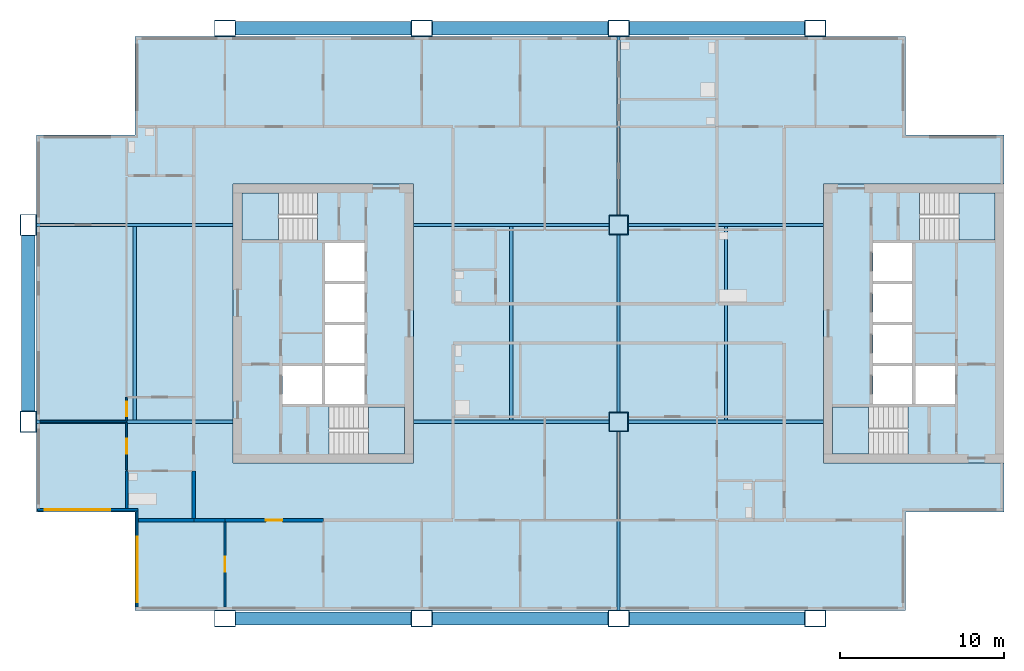
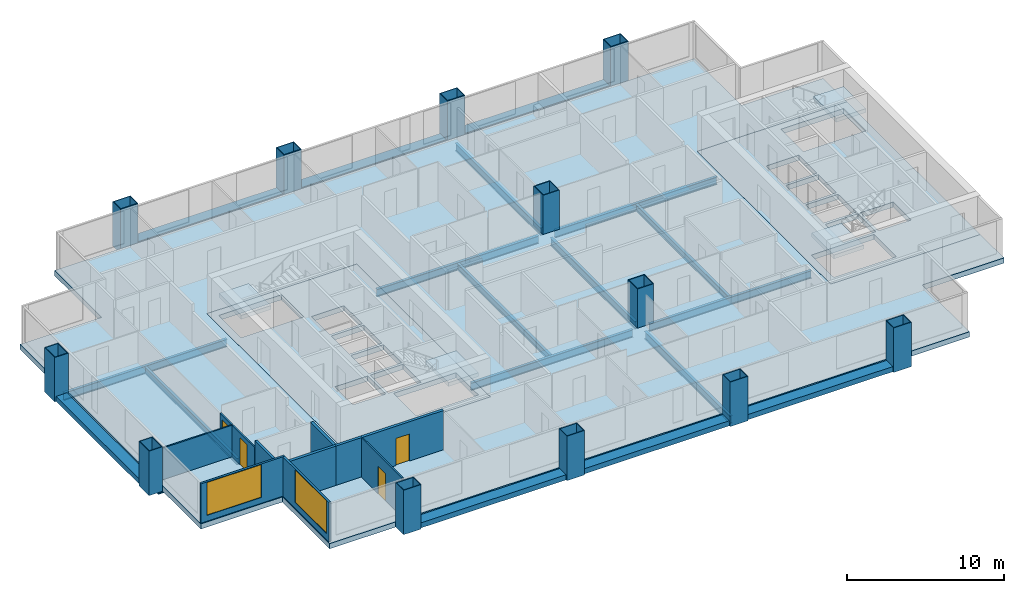
# One storey, part 1 of 9: 19 beams, 12 columns, 11 walls, 7 slabs, 4 doors, 2 windows, 6 openings, 4 elements without a shape of their own.
"""IFC4 building model written with IfcOpenShell, lengths in metres."""

from ifc_helpers import new_model, si_unit, direction, frame, frame_2d, origin, origin_2d, place, context, subcontext, project, spatial, polyline, rectangle, hollow_rectangle, i_section, outline, extrude, material, layer, layer_set, material_profile, profile_set, type_object, element, fill, aggregate, save


model = new_model("IFC4")

# Units and contexts
model_context = context("Model", 3, precision=1e-05, world=origin(), true_north=direction((0.0, 1.0)))
body_context = subcontext(model_context, "Body", "Model", "MODEL_VIEW")
ifc_project = project(units=[si_unit("LENGTHUNIT", "METRE"), si_unit("AREAUNIT", "SQUARE_METRE"), si_unit("VOLUMEUNIT", "CUBIC_METRE"), si_unit("PLANEANGLEUNIT", "RADIAN"), si_unit("MASSUNIT", "GRAM", prefix="KILO")], contexts=[model_context])

# Site, building, storey
site_placement = place(None, origin())
site = spatial("IfcSite", under=ifc_project, at=site_placement, CompositionType="ELEMENT")
building_placement = place(site_placement, origin())
building = spatial("IfcBuilding", under=site, at=building_placement, Name="Kitamizu Gate Tower and Museum", CompositionType="ELEMENT")
storey_placement = place(building_placement, frame((0.0, 0.0, 182.39990234375)))
storey = spatial("IfcBuildingStorey", under=building, at=storey_placement, Name="L48", CompositionType="ELEMENT", Elevation=182.39990234375)

# Columns
ifc_material_1 = material(Name="Steel SM490A bronze coated", Category="steel")
ifc_material_profile_1 = material_profile(ifc_material_1, hollow_rectangle(XDim=1.300048828125, YDim=1.0, WallThickness=0.050048828125, at=origin_2d()), Name="BOX 1300x1000x50")
ifc_profile_set_1 = profile_set([ifc_material_profile_1], Name="Steel SM490A bronze coated")
column_type_1 = type_object("IfcColumnType", Name="Exoskeleton column XC6 BOX 1300x1000x50", PredefinedType="COLUMN", material=ifc_profile_set_1)
for number, where, z_axis, x_axis, name in (
    (1, (0.0, 24.0, -0.39990234375), (0.0, 0.0, 1.0), (0.0, 1.0, 0.0), "Column XC6 1C L48"),
    (2, (0.0, 36.0, -0.39990234375), (0.0, 0.0, 1.0), (0.0, 1.0, 0.0), "Column XC6 1D L48"),
    (3, (12.0, 12.0, -0.39990234375), (0.0, 0.0, 1.0), (1.0, 0.0, 0.0), "Column XC6 2B L48"),
    (4, (12.0, 48.0, -0.39990234375), (0.0, 0.0, 1.0), (1.0, 0.0, 0.0), "Column XC6 2E L48"),
    (5, (24.0, 12.0, -0.39990234375), (0.0, 0.0, 1.0), (1.0, 0.0, 0.0), "Column XC6 3B L48"),
    (6, (24.0, 48.0, -0.39990234375), (0.0, 0.0, 1.0), (1.0, 0.0, 0.0), "Column XC6 3E L48"),
    (7, (36.0, 12.0, -0.39990234375), (0.0, 0.0, 1.0), (1.0, 0.0, 0.0), "Column XC6 4B L48"),
    (8, (36.0, 48.0, -0.39990234375), (0.0, 0.0, 1.0), (1.0, 0.0, 0.0), "Column XC6 4E L48"),
    (9, (48.0, 12.0, -0.39990234375), (0.0, 0.0, 1.0), (1.0, 0.0, 0.0), "Column XC6 5B L48"),
    (10, (48.0, 48.0, -0.39990234375), (0.0, 0.0, 1.0), (1.0, 0.0, 0.0), "Column XC6 5E L48"),
):
    element("IfcColumn", number, at=place(storey_placement, frame(where, z_axis=z_axis, x_axis=x_axis)), inside=storey, type_object=column_type_1, Name=name, PredefinedType="COLUMN", context=body_context, shape_type="SweptSolid", body=[
        extrude(hollow_rectangle(XDim=1.300048828125, YDim=1.0, WallThickness=0.050048828125, at=origin_2d()), origin(), (0.0, 0.0, 1.0), 3.449951171875),
    ])
ifc_material_2 = material(Name="Steel SM490A", Category="steel")
ifc_material_profile_2 = material_profile(ifc_material_2, hollow_rectangle(XDim=1.199951171875, YDim=1.199951171875, WallThickness=0.050048828125, at=origin_2d()), Name="BOX 1200x1200x50")
ifc_profile_set_2 = profile_set([ifc_material_profile_2], Name="Steel SM490A")
column_type_2 = type_object("IfcColumnType", Name="Interior column IC4 BOX 1200x1200x50", PredefinedType="COLUMN", material=ifc_profile_set_2)
for number, where, z_axis, x_axis, name in (
    (11, (36.0, 24.0, 0.0), (0.0, 0.0, 1.0), (1.0, 0.0, 0.0), "Column IC4 4C L48"),
    (12, (36.0, 36.0, 0.0), (0.0, 0.0, 1.0), (1.0, 0.0, 0.0), "Column IC4 4D L48"),
):
    element("IfcColumn", number, at=place(storey_placement, frame(where, z_axis=z_axis, x_axis=x_axis)), inside=storey, type_object=column_type_2, Name=name, PredefinedType="COLUMN", context=body_context, shape_type="SweptSolid", body=[
        extrude(hollow_rectangle(XDim=1.199951171875, YDim=1.199951171875, WallThickness=0.050048828125, at=origin_2d()), origin(), (0.0, 0.0, 1.0), 3.050048828125),
    ])

# Beams
ifc_material_3 = material(Name="Steel SM490A bronze coated", Category="steel")
ifc_material_profile_3 = material_profile(ifc_material_3, hollow_rectangle(XDim=0.800048828125, YDim=0.39990234375, WallThickness=0.0400390625, at=origin_2d()), Name="BOX 800x400x40")
ifc_profile_set_3 = profile_set([ifc_material_profile_3], Name="Steel SM490A bronze coated")
beam_type_1 = type_object("IfcBeamType", Name="Exoskeleton spandrel beam SB1 BOX 800x400x40", PredefinedType="SPANDREL", material=ifc_profile_set_3)
for number, where, z_axis, x_axis, name in (
    (13, (12.64990234375, 12.0, -0.199951171875), (1.0, 0.0, 0.0), (0.0, 1.0, 0.0), "Exoskeleton spandrel beam south 12 L48"),
    (14, (24.64990234375, 12.0, -0.199951171875), (1.0, 0.0, 0.0), (0.0, 1.0, 0.0), "Exoskeleton spandrel beam south 24 L48"),
    (15, (36.64990234375, 12.0, -0.199951171875), (1.0, 0.0, 0.0), (0.0, 1.0, 0.0), "Exoskeleton spandrel beam south 36 L48"),
    (16, (12.64990234375, 48.0, -0.199951171875), (1.0, 0.0, 0.0), (0.0, 1.0, 0.0), "Exoskeleton spandrel beam north 12 L48"),
    (17, (24.64990234375, 48.0, -0.199951171875), (1.0, 0.0, 0.0), (0.0, 1.0, 0.0), "Exoskeleton spandrel beam north 24 L48"),
    (18, (36.64990234375, 48.0, -0.199951171875), (1.0, 0.0, 0.0), (0.0, 1.0, 0.0), "Exoskeleton spandrel beam north 36 L48"),
    (19, (0.0, 24.64990234375, -0.199951171875), (0.0, 1.0, 0.0), (-1.0, 0.0, 0.0), "Exoskeleton spandrel beam west 24 L48"),
):
    element("IfcBeam", number, at=place(storey_placement, frame(where, z_axis=z_axis, x_axis=x_axis)), inside=storey, type_object=beam_type_1, Name=name, PredefinedType="SPANDREL", context=body_context, shape_type="SweptSolid", body=[
        extrude(hollow_rectangle(XDim=0.800048828125, YDim=0.39990234375, WallThickness=0.0400390625, at=origin_2d()), origin(), (0.0, 0.0, 1.0), 10.7001953125),
    ])
ifc_material_4 = material(Name="Steel SM490A", Category="steel")
ifc_material_profile_4 = material_profile(ifc_material_4, i_section(OverallWidth=0.199951171875, OverallDepth=0.5, WebThickness=0.010009765625, FlangeThickness=0.01611328125, FilletRadius=0.02001953125, at=origin_2d()), Name="H-500x200x10x16")
ifc_profile_set_4 = profile_set([ifc_material_profile_4], Name="Steel SM490A")
beam_type_2 = type_object("IfcBeamType", Name="Floor beam FB1 H 500x200x10x16", PredefinedType="BEAM", material=ifc_profile_set_4)
for number, where, z_axis, x_axis, name in (
    (20, (6.5, 24.10009765625, -0.64990234375), (0.0, 1.0, 0.0), (-1.0, 0.0, 0.0), "Floor beam FB1 L48-1"),
    (21, (29.449951171875, 24.10009765625, -0.64990234375), (0.0, 1.0, 0.0), (-1.0, 0.0, 0.0), "Floor beam FB1 L48-2"),
    (22, (42.550048828125, 24.10009765625, -0.64990234375), (0.0, 1.0, 0.0), (-1.0, 0.0, 0.0), "Floor beam FB1 L48-3"),
):
    element("IfcBeam", number, at=place(storey_placement, frame(where, z_axis=z_axis, x_axis=x_axis)), inside=storey, type_object=beam_type_2, Name=name, PredefinedType="BEAM", context=body_context, shape_type="SweptSolid", body=[
        extrude(i_section(OverallWidth=0.199951171875, OverallDepth=0.5, WebThickness=0.010009765625, FlangeThickness=0.01611328125, FilletRadius=0.02001953125, at=origin_2d()), origin(), (0.0, 0.0, 1.0), 11.7998046875),
    ])
ifc_material_5 = material(Name="Steel SM490A", Category="steel")
ifc_material_profile_5 = material_profile(ifc_material_5, i_section(OverallWidth=0.199951171875, OverallDepth=0.60009765625, WebThickness=0.010986328125, FlangeThickness=0.01708984375, FilletRadius=0.02197265625, at=origin_2d()), Name="H-600x200x11x17")
ifc_profile_set_5 = profile_set([ifc_material_profile_5], Name="Steel SM490A")
beam_type_3 = type_object("IfcBeamType", Name="Floor girder FG1 H 600x200x11x17", PredefinedType="BEAM", material=ifc_profile_set_5)
beam_1_placement = place(storey_placement, frame((36.0, 12.5, -0.699951171875), z_axis=(0.0, 1.0, 0.0), x_axis=(-1.0, 0.0, 0.0)))
element("IfcBeam", 23, at=beam_1_placement, inside=storey, type_object=beam_type_3, Name="Floor girder FG1 x36 L48", PredefinedType="BEAM", context=body_context, shape_type="SweptSolid", body=[
    extrude(i_section(OverallWidth=0.199951171875, OverallDepth=0.60009765625, WebThickness=0.010986328125, FlangeThickness=0.01708984375, FilletRadius=0.02197265625, at=origin_2d()), origin(), (0.0, 0.0, 1.0), 10.89990234375),
])
beam_2_placement = place(storey_placement, frame((36.0, 24.60009765625, -0.699951171875), z_axis=(0.0, 1.0, 0.0), x_axis=(-1.0, 0.0, 0.0)))
element("IfcBeam", 24, at=beam_2_placement, inside=storey, type_object=beam_type_3, Name="Floor girder FG1 x36 L48", PredefinedType="BEAM", context=body_context, shape_type="SweptSolid", body=[
    extrude(i_section(OverallWidth=0.199951171875, OverallDepth=0.60009765625, WebThickness=0.010986328125, FlangeThickness=0.01708984375, FilletRadius=0.02197265625, at=origin_2d()), origin(), (0.0, 0.0, 1.0), 10.7998046875),
])
beam_3_placement = place(storey_placement, frame((36.0, 36.60009765625, -0.699951171875), z_axis=(0.0, 1.0, 0.0), x_axis=(-1.0, 0.0, 0.0)))
element("IfcBeam", 25, at=beam_3_placement, inside=storey, type_object=beam_type_3, Name="Floor girder FG1 x36 L48", PredefinedType="BEAM", context=body_context, shape_type="SweptSolid", body=[
    extrude(i_section(OverallWidth=0.199951171875, OverallDepth=0.60009765625, WebThickness=0.010986328125, FlangeThickness=0.01708984375, FilletRadius=0.02197265625, at=origin_2d()), origin(), (0.0, 0.0, 1.0), 10.89990234375),
])
beam_4_placement = place(storey_placement, frame((0.5, 24.0, -0.699951171875), z_axis=(1.0, 0.0, 0.0), x_axis=(0.0, 1.0, 0.0)))
element("IfcBeam", 26, at=beam_4_placement, inside=storey, type_object=beam_type_3, Name="Floor girder FG1 y24 L48", PredefinedType="BEAM", context=body_context, shape_type="SweptSolid", body=[
    extrude(i_section(OverallWidth=0.199951171875, OverallDepth=0.60009765625, WebThickness=0.010986328125, FlangeThickness=0.01708984375, FilletRadius=0.02197265625, at=origin_2d()), origin(), (0.0, 0.0, 1.0), 12.0),
])
for number, where, z_axis, x_axis, name in (
    (27, (23.5, 24.0, -0.699951171875), (1.0, 0.0, 0.0), (0.0, 1.0, 0.0), "Floor girder FG1 y24 L48"),
    (28, (36.60009765625, 24.0, -0.699951171875), (1.0, 0.0, 0.0), (0.0, 1.0, 0.0), "Floor girder FG1 y24 L48"),
):
    element("IfcBeam", number, at=place(storey_placement, frame(where, z_axis=z_axis, x_axis=x_axis)), inside=storey, type_object=beam_type_3, Name=name, PredefinedType="BEAM", context=body_context, shape_type="SweptSolid", body=[
        extrude(i_section(OverallWidth=0.199951171875, OverallDepth=0.60009765625, WebThickness=0.010986328125, FlangeThickness=0.01708984375, FilletRadius=0.02197265625, at=origin_2d()), origin(), (0.0, 0.0, 1.0), 11.89990234375),
    ])
beam_5_placement = place(storey_placement, frame((0.5, 36.0, -0.699951171875), z_axis=(1.0, 0.0, 0.0), x_axis=(0.0, 1.0, 0.0)))
element("IfcBeam", 29, at=beam_5_placement, inside=storey, type_object=beam_type_3, Name="Floor girder FG1 y36 L48", PredefinedType="BEAM", context=body_context, shape_type="SweptSolid", body=[
    extrude(i_section(OverallWidth=0.199951171875, OverallDepth=0.60009765625, WebThickness=0.010986328125, FlangeThickness=0.01708984375, FilletRadius=0.02197265625, at=origin_2d()), origin(), (0.0, 0.0, 1.0), 12.0),
])
for number, where, z_axis, x_axis, name in (
    (30, (23.5, 36.0, -0.699951171875), (1.0, 0.0, 0.0), (0.0, 1.0, 0.0), "Floor girder FG1 y36 L48"),
    (31, (36.60009765625, 36.0, -0.699951171875), (1.0, 0.0, 0.0), (0.0, 1.0, 0.0), "Floor girder FG1 y36 L48"),
):
    element("IfcBeam", number, at=place(storey_placement, frame(where, z_axis=z_axis, x_axis=x_axis)), inside=storey, type_object=beam_type_3, Name=name, PredefinedType="BEAM", context=body_context, shape_type="SweptSolid", body=[
        extrude(i_section(OverallWidth=0.199951171875, OverallDepth=0.60009765625, WebThickness=0.010986328125, FlangeThickness=0.01708984375, FilletRadius=0.02197265625, at=origin_2d()), origin(), (0.0, 0.0, 1.0), 11.89990234375),
    ])

# Slabs
ifc_material_6 = material(Name="Concrete Fc36", Category="concrete")
ifc_layer_1 = layer(ifc_material_6, 0.39990234375)
ifc_layer_set_1 = layer_set([ifc_layer_1], Name="Concrete Fc36")
slab_type_1 = type_object("IfcSlabType", Name="Core floor slab 400", PredefinedType="FLOOR", material=ifc_layer_set_1)
slab_1_placement = place(storey_placement, frame((0.0, 0.0, -0.39990234375)))
element("IfcSlab", 32, at=slab_1_placement, inside=storey, type_object=slab_type_1, Name="Core floor slab W", PredefinedType="FLOOR", context=body_context, shape_type="SweptSolid", body=[
    extrude(outline(polyline([(12.5, 21.5), (23.5, 21.5), (23.5, 38.5), (12.5, 38.5), (12.5, 21.5)]), holes=[polyline([(15.5, 25.10009765625), (17.89990234375, 25.10009765625), (17.89990234375, 27.39990234375), (15.5, 27.39990234375), (15.5, 25.10009765625)]), polyline([(18.10009765625, 25.10009765625), (20.5, 25.10009765625), (20.5, 27.39990234375), (18.10009765625, 27.39990234375), (18.10009765625, 25.10009765625)]), polyline([(18.10009765625, 27.60009765625), (20.5, 27.60009765625), (20.5, 29.89990234375), (18.10009765625, 29.89990234375), (18.10009765625, 27.60009765625)]), polyline([(18.10009765625, 30.10009765625), (20.5, 30.10009765625), (20.5, 32.39990234375), (18.10009765625, 32.39990234375), (18.10009765625, 30.10009765625)]), polyline([(18.10009765625, 32.60009765625), (20.5, 32.60009765625), (20.5, 34.89990234375), (18.10009765625, 34.89990234375), (18.10009765625, 32.60009765625)]), polyline([(18.3505859375, 22.050048828125), (22.949951171875, 22.050048828125), (22.949951171875, 24.89990234375), (18.3505859375, 24.89990234375), (18.3505859375, 22.050048828125)]), polyline([(13.050048828125, 35.10009765625), (17.6494140625, 35.10009765625), (17.6494140625, 37.949951171875), (13.050048828125, 37.949951171875), (13.050048828125, 35.10009765625)])]), origin(), (0.0, 0.0, 1.0), 0.39990234375),
])
slab_2_placement = place(storey_placement, frame((0.0, 0.0, -0.39990234375)))
element("IfcSlab", 33, at=slab_2_placement, inside=storey, type_object=slab_type_1, Name="Core floor slab E", PredefinedType="FLOOR", context=body_context, shape_type="SweptSolid", body=[
    extrude(outline(polyline([(48.5, 21.5), (59.5, 21.5), (59.5, 38.5), (48.5, 38.5), (48.5, 21.5)]), holes=[polyline([(54.10009765625, 25.10009765625), (56.5, 25.10009765625), (56.5, 27.39990234375), (54.10009765625, 27.39990234375), (54.10009765625, 25.10009765625)]), polyline([(51.5, 25.10009765625), (53.89990234375, 25.10009765625), (53.89990234375, 27.39990234375), (51.5, 27.39990234375), (51.5, 25.10009765625)]), polyline([(51.5, 27.60009765625), (53.89990234375, 27.60009765625), (53.89990234375, 29.89990234375), (51.5, 29.89990234375), (51.5, 27.60009765625)]), polyline([(51.5, 30.10009765625), (53.89990234375, 30.10009765625), (53.89990234375, 32.39990234375), (51.5, 32.39990234375), (51.5, 30.10009765625)]), polyline([(51.5, 32.60009765625), (53.89990234375, 32.60009765625), (53.89990234375, 34.89990234375), (51.5, 34.89990234375), (51.5, 32.60009765625)]), polyline([(49.050048828125, 22.050048828125), (53.6494140625, 22.050048828125), (53.6494140625, 24.89990234375), (49.050048828125, 24.89990234375), (49.050048828125, 22.050048828125)]), polyline([(54.3505859375, 35.10009765625), (58.949951171875, 35.10009765625), (58.949951171875, 37.949951171875), (54.3505859375, 37.949951171875), (54.3505859375, 35.10009765625)])]), origin(), (0.0, 0.0, 1.0), 0.39990234375),
])
ifc_material_7 = material(Name="Concrete Fc36", Category="concrete")
ifc_layer_2 = layer(ifc_material_7, 0.39990234375)
ifc_layer_set_2 = layer_set([ifc_layer_2], Name="Concrete Fc36")
slab_type_2 = type_object("IfcSlabType", Name="Post tensioned flat slab 400", PredefinedType="FLOOR", material=ifc_layer_set_2)
slab_3_placement = place(storey_placement, frame((0.0, 0.0, -0.39990234375)))
element("IfcSlab", 34, at=slab_3_placement, inside=storey, type_object=slab_type_2, Name="Floor slab L48-1", PredefinedType="FLOOR", context=body_context, shape_type="SweptSolid", body=[
    extrude(outline(polyline([(0.5, 18.5), (0.5, 41.5), (6.5, 41.5), (6.5, 47.5), (53.5, 47.5), (53.5, 41.5), (59.5, 41.5), (59.5, 38.5), (48.5, 38.5), (48.5, 21.5), (59.5, 21.5), (59.5, 18.5), (53.5, 18.5), (53.5, 12.5), (6.5, 12.5), (6.5, 18.5), (0.5, 18.5)]), holes=[polyline([(12.5, 38.5), (12.5, 21.5), (23.5, 21.5), (23.5, 38.5), (12.5, 38.5)])]), origin(), (0.0, 0.0, 1.0), 0.39990234375),
])

# Stair, slab
ifc_material_8 = material(Name="Concrete Fc42", Category="concrete")
stair_type = type_object("IfcStairType", Name="Exit stair 1325 wide 192 rise 300 going", PredefinedType="HALF_TURN_STAIR", material=ifc_material_8)
stair_1_placement = place(storey_placement, origin())
stair_1 = element("IfcStair", 35, at=stair_1_placement, inside=storey, type_object=stair_type, Name="Exit stair ST1", PredefinedType="HALF_TURN_STAIR")
ifc_material_9 = material(Name="Concrete Fc42", Category="concrete")
ifc_layer_3 = layer(ifc_material_9, 0.300048828125)
ifc_layer_set_3 = layer_set([ifc_layer_3], Name="Concrete Fc42")
slab_type_3 = type_object("IfcSlabType", Name="Stair landing 300", PredefinedType="LANDING", material=ifc_layer_set_3)
slab_4_placement = place(storey_placement, frame((0.0, 0.0, 1.425048828125)))
slab_4 = element("IfcSlab", 36, at=slab_4_placement, type_object=slab_type_3, Name="ST1 landing 1", PredefinedType="LANDING", context=body_context, shape_type="SweptSolid", body=[
    extrude(outline(polyline([(20.75, 22.050048828125), (22.949951171875, 22.050048828125), (22.949951171875, 24.89990234375), (20.75, 24.89990234375), (20.75, 22.050048828125)])), origin(), (0.0, 0.0, 1.0), 0.300048828125),
])
aggregate(stair_1, [slab_4])

stair_2_placement = place(storey_placement, origin())
stair_2 = element("IfcStair", 37, at=stair_2_placement, inside=storey, type_object=stair_type, Name="Exit stair ST2", PredefinedType="HALF_TURN_STAIR")
slab_5_placement = place(storey_placement, frame((0.0, 0.0, 1.425048828125)))
slab_5 = element("IfcSlab", 38, at=slab_5_placement, type_object=slab_type_3, Name="ST2 landing 1", PredefinedType="LANDING", context=body_context, shape_type="SweptSolid", body=[
    extrude(outline(polyline([(13.050048828125, 35.10009765625), (15.25, 35.10009765625), (15.25, 37.949951171875), (13.050048828125, 37.949951171875), (13.050048828125, 35.10009765625)])), origin(), (0.0, 0.0, 1.0), 0.300048828125),
])
aggregate(stair_2, [slab_5])

stair_3_placement = place(storey_placement, origin())
stair_3 = element("IfcStair", 39, at=stair_3_placement, inside=storey, type_object=stair_type, Name="Exit stair ST3", PredefinedType="HALF_TURN_STAIR")
slab_6_placement = place(storey_placement, frame((0.0, 0.0, 1.425048828125)))
slab_6 = element("IfcSlab", 40, at=slab_6_placement, type_object=slab_type_3, Name="ST3 landing 1", PredefinedType="LANDING", context=body_context, shape_type="SweptSolid", body=[
    extrude(outline(polyline([(49.050048828125, 22.050048828125), (51.25, 22.050048828125), (51.25, 24.89990234375), (49.050048828125, 24.89990234375), (49.050048828125, 22.050048828125)])), origin(), (0.0, 0.0, 1.0), 0.300048828125),
])
aggregate(stair_3, [slab_6])

stair_4_placement = place(storey_placement, origin())
stair_4 = element("IfcStair", 41, at=stair_4_placement, inside=storey, type_object=stair_type, Name="Exit stair ST4", PredefinedType="HALF_TURN_STAIR")
slab_7_placement = place(storey_placement, frame((0.0, 0.0, 1.425048828125)))
slab_7 = element("IfcSlab", 42, at=slab_7_placement, type_object=slab_type_3, Name="ST4 landing 1", PredefinedType="LANDING", context=body_context, shape_type="SweptSolid", body=[
    extrude(outline(polyline([(56.75, 35.10009765625), (58.949951171875, 35.10009765625), (58.949951171875, 37.949951171875), (56.75, 37.949951171875), (56.75, 35.10009765625)])), origin(), (0.0, 0.0, 1.0), 0.300048828125),
])
aggregate(stair_4, [slab_7])

# Wall, opening, door
ifc_material_10 = material(Name="Gypsum board on galvanised stud")
ifc_layer_4 = layer(ifc_material_10, 0.10009765625)
ifc_layer_set_4 = layer_set([ifc_layer_4], Name="Gypsum board on galvanised stud")
wall_type_1 = type_object("IfcWallType", Name="Partition 100 NOT RATED", PredefinedType="PARTITIONING", material=ifc_layer_set_4)
wall_1_placement = place(storey_placement, frame((12.0, 12.719970703125, 0.0), z_axis=(0.0, 0.0, 1.0), x_axis=(0.0, 1.0, 0.0)))
wall_1 = element("IfcWall", 43, at=wall_1_placement, inside=storey, type_object=wall_type_1, Name="Partition L48-001", PredefinedType="PARTITIONING", context=body_context, shape_type="SweptSolid", body=[
    extrude(rectangle(XDim=5.179931640625, YDim=0.10009765625, at=frame_2d((2.58984375, 0.0))), origin(), (0.0, 0.0, 1.0), 3.050048828125),
])
opening_1_placement = place(wall_1_placement, frame((2.139892578125, 0.0, 0.0)))
opening_1 = element("IfcOpeningElement", 44, at=opening_1_placement, cuts=wall_1, Name="Opening L48-002", PredefinedType="OPENING", context=body_context, shape_type="SweptSolid", body=[
    extrude(rectangle(XDim=0.89990234375, YDim=2.10009765625, at=frame_2d((0.449951171875, 1.050048828125))), frame((0.0, 0.06005859375, 0.0), z_axis=(0.0, -1.0, 0.0), x_axis=(1.0, 0.0, 0.0)), (0.0, 0.0, 1.0), 0.1201171875),
])
ifc_material_11 = material(Name="Timber door set", Category="wood")
door_type_1 = type_object("IfcDoorType", Name="Room door 900", OperationType="NOTDEFINED", PredefinedType="DOOR", material=ifc_material_11)
door_1_placement = place(opening_1_placement, origin())
door_1 = element("IfcDoor", 45, at=door_1_placement, inside=storey, type_object=door_type_1, Name="Door L48-002", OperationType="SINGLE_SWING_LEFT", OverallHeight=2.10009765625, OverallWidth=0.89990234375, PredefinedType="DOOR", context=body_context, shape_type="SweptSolid", body=[
    extrude(rectangle(XDim=0.89990234375, YDim=2.10009765625, at=frame_2d((0.449951171875, 1.050048828125))), frame((0.0, 0.02490234375, 0.0), z_axis=(0.0, -1.0, 0.0), x_axis=(1.0, 0.0, 0.0)), (0.0, 0.0, 1.0), 0.050048828125),
])
fill(opening_1, door_1)

# Wall
wall_2_placement = place(storey_placement, frame((6.0, 24.0, 0.0), z_axis=(0.0, 0.0, 1.0), x_axis=(-1.0, 0.0, 0.0)))
element("IfcWall", 46, at=wall_2_placement, inside=storey, type_object=wall_type_1, Name="Partition L48-079", PredefinedType="PARTITIONING", context=body_context, shape_type="SweptSolid", body=[
    extrude(rectangle(XDim=5.280029296875, YDim=0.10009765625, at=frame_2d((2.64013671875, 0.0))), origin(), (0.0, 0.0, 1.0), 2.4501953125),
])

# Wall, opening, door
wall_3_placement = place(storey_placement, frame((6.0, 21.074951171875, 0.0), z_axis=(0.0, 0.0, 1.0), x_axis=(0.0, 1.0, 0.0)))
wall_3 = element("IfcWall", 47, at=wall_3_placement, inside=storey, type_object=wall_type_1, Name="Partition L48-081", PredefinedType="PARTITIONING", context=body_context, shape_type="SweptSolid", body=[
    extrude(rectangle(XDim=2.875, YDim=0.10009765625, at=frame_2d((1.4375, 0.0))), origin(), (0.0, 0.0, 1.0), 2.4501953125),
])
opening_2_placement = place(wall_3_placement, frame((0.987548828125, 0.0, 0.0)))
opening_2 = element("IfcOpeningElement", 48, at=opening_2_placement, cuts=wall_3, Name="Opening L48-029", PredefinedType="OPENING", context=body_context, shape_type="SweptSolid", body=[
    extrude(rectangle(XDim=0.89990234375, YDim=2.10009765625, at=frame_2d((0.449951171875, 1.050048828125))), frame((0.0, 0.06005859375, 0.0), z_axis=(0.0, -1.0, 0.0), x_axis=(1.0, 0.0, 0.0)), (0.0, 0.0, 1.0), 0.1201171875),
])
door_2_placement = place(opening_2_placement, origin())
door_2 = element("IfcDoor", 49, at=door_2_placement, inside=storey, type_object=door_type_1, Name="Door L48-029", OperationType="SINGLE_SWING_LEFT", OverallHeight=2.10009765625, OverallWidth=0.89990234375, PredefinedType="DOOR", context=body_context, shape_type="SweptSolid", body=[
    extrude(rectangle(XDim=0.89990234375, YDim=2.10009765625, at=frame_2d((0.449951171875, 1.050048828125))), frame((0.0, 0.02490234375, 0.0), z_axis=(0.0, -1.0, 0.0), x_axis=(1.0, 0.0, 0.0)), (0.0, 0.0, 1.0), 0.050048828125),
])
fill(opening_2, door_2)

wall_4_placement = place(storey_placement, frame((6.0, 24.050048828125, 0.0), z_axis=(0.0, 0.0, 1.0), x_axis=(0.0, 1.0, 0.0)))
wall_4 = element("IfcWall", 50, at=wall_4_placement, inside=storey, type_object=wall_type_1, Name="Partition L48-083", PredefinedType="PARTITIONING", context=body_context, shape_type="SweptSolid", body=[
    extrude(rectangle(XDim=1.449951171875, YDim=0.10009765625, at=frame_2d((0.72509765625, 0.0))), origin(), (0.0, 0.0, 1.0), 2.4501953125),
])
opening_3_placement = place(wall_4_placement, frame((0.27490234375, 0.0, 0.0)))
opening_3 = element("IfcOpeningElement", 51, at=opening_3_placement, cuts=wall_4, Name="Opening L48-030", PredefinedType="OPENING", context=body_context, shape_type="SweptSolid", body=[
    extrude(rectangle(XDim=0.89990234375, YDim=2.10009765625, at=frame_2d((0.449951171875, 1.050048828125))), frame((0.0, 0.06005859375, 0.0), z_axis=(0.0, -1.0, 0.0), x_axis=(1.0, 0.0, 0.0)), (0.0, 0.0, 1.0), 0.1201171875),
])
door_3_placement = place(opening_3_placement, origin())
door_3 = element("IfcDoor", 52, at=door_3_placement, inside=storey, type_object=door_type_1, Name="Door L48-030", OperationType="SINGLE_SWING_RIGHT", OverallHeight=2.10009765625, OverallWidth=0.89990234375, PredefinedType="DOOR", context=body_context, shape_type="SweptSolid", body=[
    extrude(rectangle(XDim=0.89990234375, YDim=2.10009765625, at=frame_2d((0.449951171875, 1.050048828125))), frame((0.0, 0.02490234375, 0.0), z_axis=(0.0, -1.0, 0.0), x_axis=(1.0, 0.0, 0.0)), (0.0, 0.0, 1.0), 0.050048828125),
])
fill(opening_3, door_3)

# Walls
ifc_material_12 = material(Name="Gypsum board on galvanised stud")
ifc_layer_5 = layer(ifc_material_12, 0.14990234375)
ifc_layer_set_5 = layer_set([ifc_layer_5], Name="Gypsum board on galvanised stud")
wall_type_2 = type_object("IfcWallType", Name="Partition 150", PredefinedType="PARTITIONING", material=ifc_layer_set_5)
wall_5_placement = place(storey_placement, frame((6.0, 18.719970703125, 0.0), z_axis=(0.0, 0.0, 1.0), x_axis=(0.0, 1.0, 0.0)))
element("IfcWall", 53, at=wall_5_placement, inside=storey, type_object=wall_type_2, Name="Partition L48-080", PredefinedType="PARTITIONING", context=body_context, shape_type="SweptSolid", body=[
    extrude(rectangle(XDim=2.280029296875, YDim=0.14990234375, at=frame_2d((1.14013671875, 0.0))), origin(), (0.0, 0.0, 1.0), 3.050048828125),
])
ifc_material_13 = material(Name="Gypsum board on galvanised stud")
ifc_layer_6 = layer(ifc_material_13, 0.199951171875)
ifc_layer_set_6 = layer_set([ifc_layer_6], Name="Gypsum board on galvanised stud")
wall_type_3 = type_object("IfcWallType", Name="Partition 200", PredefinedType="PARTITIONING", material=ifc_layer_set_6)
wall_6_placement = place(storey_placement, frame((10.10009765625, 18.0, 0.0), z_axis=(0.0, 0.0, 1.0), x_axis=(-1.0, 0.0, 0.0)))
element("IfcWall", 54, at=wall_6_placement, inside=storey, type_object=wall_type_3, Name="Partition L48-002", PredefinedType="PARTITIONING", context=body_context, shape_type="SweptSolid", body=[
    extrude(rectangle(XDim=3.380126953125, YDim=0.199951171875, at=frame_2d((1.68994140625, 0.0))), origin(), (0.0, 0.0, 1.0), 3.050048828125),
])
wall_7_placement = place(storey_placement, frame((12.0, 18.0, 0.0), z_axis=(0.0, 0.0, 1.0), x_axis=(-1.0, 0.0, 0.0)))
element("IfcWall", 55, at=wall_7_placement, inside=storey, type_object=wall_type_3, Name="Partition L48-003", PredefinedType="PARTITIONING", context=body_context, shape_type="SweptSolid", body=[
    extrude(rectangle(XDim=1.89990234375, YDim=0.199951171875, at=frame_2d((0.949951171875, 0.0))), origin(), (0.0, 0.0, 1.0), 3.050048828125),
])

# Wall, opening, door
wall_8_placement = place(storey_placement, frame((18.0, 18.0, 0.0), z_axis=(0.0, 0.0, 1.0), x_axis=(-1.0, 0.0, 0.0)))
wall_8 = element("IfcWall", 56, at=wall_8_placement, inside=storey, type_object=wall_type_3, Name="Partition L48-005", PredefinedType="PARTITIONING", context=body_context, shape_type="SweptSolid", body=[
    extrude(rectangle(XDim=6.0, YDim=0.199951171875, at=frame_2d((3.0, 0.0))), origin(), (0.0, 0.0, 1.0), 3.050048828125),
])
opening_4_placement = place(wall_8_placement, frame((2.5, 0.0, 0.0)))
opening_4 = element("IfcOpeningElement", 57, at=opening_4_placement, cuts=wall_8, Name="Opening L48-001", PredefinedType="OPENING", context=body_context, shape_type="SweptSolid", body=[
    extrude(rectangle(XDim=1.0, YDim=2.10009765625, at=frame_2d((0.5, 1.050048828125))), frame((0.0, 0.10986328125, 0.0), z_axis=(0.0, -1.0, 0.0), x_axis=(1.0, 0.0, 0.0)), (0.0, 0.0, 1.0), 0.219970703125),
])
ifc_material_14 = material(Name="Timber door set", Category="wood")
door_type_2 = type_object("IfcDoorType", Name="Flat entrance door 1000", OperationType="NOTDEFINED", PredefinedType="DOOR", material=ifc_material_14)
door_4_placement = place(opening_4_placement, origin())
door_4 = element("IfcDoor", 58, at=door_4_placement, inside=storey, type_object=door_type_2, Name="Flat entrance door L48-001", OperationType="SINGLE_SWING_RIGHT", OverallHeight=2.10009765625, OverallWidth=1.0, PredefinedType="DOOR", context=body_context, shape_type="SweptSolid", body=[
    extrude(rectangle(XDim=1.0, YDim=2.10009765625, at=frame_2d((0.5, 1.050048828125))), frame((0.0, 0.02490234375, 0.0), z_axis=(0.0, -1.0, 0.0), x_axis=(1.0, 0.0, 0.0)), (0.0, 0.0, 1.0), 0.050048828125),
])
fill(opening_4, door_4)

# Wall
wall_9_placement = place(storey_placement, frame((10.10009765625, 18.10009765625, 0.0), z_axis=(0.0, 0.0, 1.0), x_axis=(0.0, 1.0, 0.0)))
element("IfcWall", 59, at=wall_9_placement, inside=storey, type_object=wall_type_3, Name="Partition L48-088", PredefinedType="PARTITIONING", context=body_context, shape_type="SweptSolid", body=[
    extrude(rectangle(XDim=2.89990234375, YDim=0.199951171875, at=frame_2d((1.449951171875, 0.0))), origin(), (0.0, 0.0, 1.0), 3.050048828125),
])

# Wall, opening, window
ifc_material_15 = material(Name="Bronze anodised aluminium frame with insulated spandrel and tinted glass", Category="aluminium")
ifc_layer_7 = layer(ifc_material_15, 0.14990234375)
ifc_layer_set_7 = layer_set([ifc_layer_7], Name="Bronze anodised aluminium frame with insulated spandrel and tinted glass")
wall_type_4 = type_object("IfcWallType", Name="WINDOW WALL 150 BRONZE FRAME EI 30", PredefinedType="ELEMENTEDWALL", material=ifc_layer_set_7)
wall_10_placement = place(storey_placement, frame((0.56005859375, 18.635009765625, 0.0), z_axis=(0.0, 0.0, 1.0), x_axis=(1.0, 0.0, 0.0)))
wall_10 = element("IfcWall", 60, at=wall_10_placement, inside=storey, type_object=wall_type_4, Name="Window wall south L48", PredefinedType="ELEMENTEDWALL", context=body_context, shape_type="SweptSolid", body=[
    extrude(rectangle(XDim=6.14990234375, YDim=0.14990234375, at=frame_2d((3.074951171875, 0.0))), origin(), (0.0, 0.0, 1.0), 3.050048828125),
])
opening_5_placement = place(wall_10_placement, frame((0.43994140625, 0.0, 0.449951171875)))
opening_5 = element("IfcOpeningElement", 61, at=opening_5_placement, cuts=wall_10, Name="Opening W16", PredefinedType="OPENING", context=body_context, shape_type="SweptSolid", body=[
    extrude(rectangle(XDim=4.0, YDim=2.550048828125, at=frame_2d((2.0, 1.27490234375))), frame((0.0, 0.0849609375, 0.0), z_axis=(0.0, -1.0, 0.0), x_axis=(1.0, 0.0, 0.0)), (0.0, 0.0, 1.0), 0.169921875),
])
ifc_material_16 = material(Name="Bronze anodised aluminium frame, tinted triple glazing", Category="aluminium")
window_type = type_object("IfcWindowType", Name="WINDOW 4000 x 2550 SILL 450", PartitioningType="SINGLE_PANEL", PredefinedType="WINDOW", material=ifc_material_16)
window_1_placement = place(opening_5_placement, origin())
window_1 = element("IfcWindow", 62, at=window_1_placement, inside=storey, type_object=window_type, Name="Window W16 L48", OverallHeight=2.550048828125, OverallWidth=4.0, PartitioningType="SINGLE_PANEL", PredefinedType="WINDOW", context=body_context, shape_type="SweptSolid", body=[
    extrude(rectangle(XDim=4.0, YDim=2.550048828125, at=frame_2d((2.0, 1.27490234375))), frame((0.0, 0.030029296875, 0.0), z_axis=(0.0, -1.0, 0.0), x_axis=(1.0, 0.0, 0.0)), (0.0, 0.0, 1.0), 0.06005859375),
])
fill(opening_5, window_1)

wall_11_placement = place(storey_placement, frame((6.635009765625, 12.7099609375, 0.0), z_axis=(0.0, 0.0, 1.0), x_axis=(0.0, 1.0, 0.0)))
wall_11 = element("IfcWall", 63, at=wall_11_placement, inside=storey, type_object=wall_type_4, Name="Window wall west L48", PredefinedType="ELEMENTEDWALL", context=body_context, shape_type="SweptSolid", body=[
    extrude(rectangle(XDim=5.85009765625, YDim=0.14990234375, at=frame_2d((2.925048828125, 0.0))), origin(), (0.0, 0.0, 1.0), 3.050048828125),
])
opening_6_placement = place(wall_11_placement, frame((0.2900390625, 0.0, 0.449951171875)))
opening_6 = element("IfcOpeningElement", 64, at=opening_6_placement, cuts=wall_11, Name="Opening W16", PredefinedType="OPENING", context=body_context, shape_type="SweptSolid", body=[
    extrude(rectangle(XDim=4.0, YDim=2.550048828125, at=frame_2d((2.0, 1.27490234375))), frame((0.0, 0.0849609375, 0.0), z_axis=(0.0, -1.0, 0.0), x_axis=(1.0, 0.0, 0.0)), (0.0, 0.0, 1.0), 0.169921875),
])
window_2_placement = place(opening_6_placement, origin())
window_2 = element("IfcWindow", 65, at=window_2_placement, inside=storey, type_object=window_type, Name="Window W16 L48", OverallHeight=2.550048828125, OverallWidth=4.0, PartitioningType="SINGLE_PANEL", PredefinedType="WINDOW", context=body_context, shape_type="SweptSolid", body=[
    extrude(rectangle(XDim=4.0, YDim=2.550048828125, at=frame_2d((2.0, 1.27490234375))), frame((0.0, 0.030029296875, 0.0), z_axis=(0.0, -1.0, 0.0), x_axis=(1.0, 0.0, 0.0)), (0.0, 0.0, 1.0), 0.06005859375),
])
fill(opening_6, window_2)

save(model, "model.ifc")
